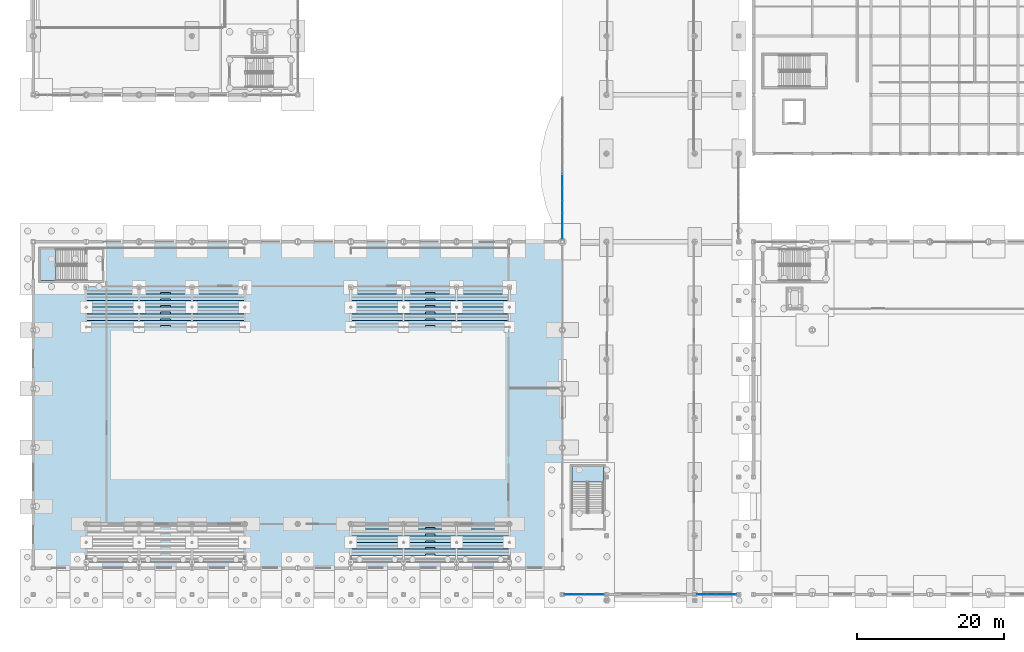
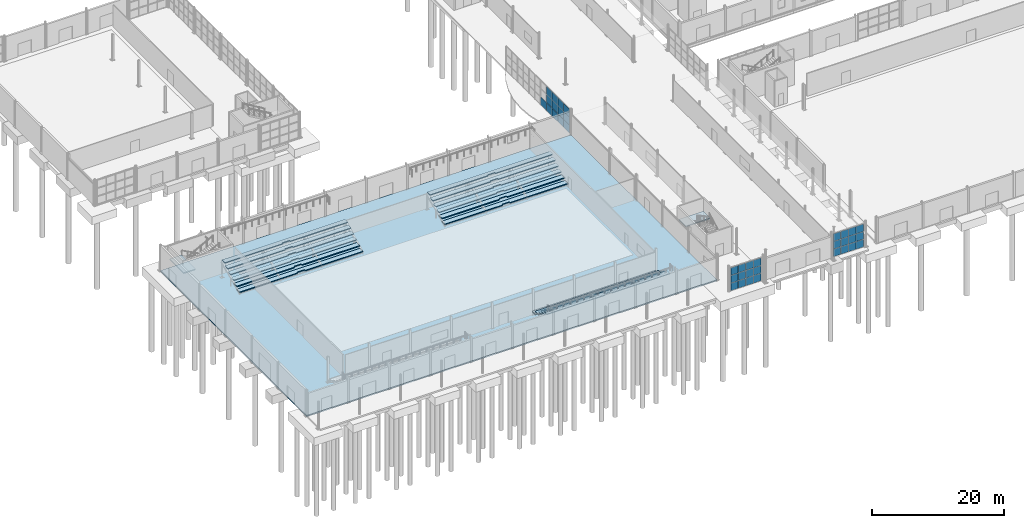
# One storey, part 63 of 101: 37 plates, 20 slabs, 5 elements without a shape of their own.
"""IFC4 building model written with IfcOpenShell, lengths in metres."""

from ifc_helpers import new_model, si_unit, derived_unit, direction, frame, origin, origin_2d, place, context, subcontext, project, spatial, polyline, rectangle, outline, extrude, material, layer, layer_set, type_object, element, aggregate, save


model = new_model("IFC4")

# Units and contexts
model_context = context("Model", 3, precision=1e-05, world=origin(), true_north=direction((0.0, 1.0)))
body_context = subcontext(model_context, "Body", "Model", "MODEL_VIEW")
ifc_project = project(units=[si_unit("LENGTHUNIT", "METRE"), si_unit("AREAUNIT", "SQUARE_METRE"), si_unit("VOLUMEUNIT", "CUBIC_METRE"), si_unit("PLANEANGLEUNIT", "RADIAN"), si_unit("MASSUNIT", "GRAM", prefix="KILO"), derived_unit("THERMALTRANSMITTANCEUNIT", [(si_unit("POWERUNIT", "WATT"), 1), (si_unit("LENGTHUNIT", "METRE"), -2), (si_unit("THERMODYNAMICTEMPERATUREUNIT", "KELVIN"), -1)])], contexts=[model_context])

# Site, building, storey
site_placement = place(None, origin())
site = spatial("IfcSite", under=ifc_project, at=site_placement, CompositionType="ELEMENT")
building_placement = place(site_placement, origin())
building = spatial("IfcBuilding", under=site, at=building_placement, Name="Keldorne Ridge Multi-Sports Centre", CompositionType="ELEMENT")
storey_placement = place(building_placement, origin())
storey = spatial("IfcBuildingStorey", under=building, at=storey_placement, Name="L00", CompositionType="ELEMENT", Elevation=0.0)

# Curtain wall, plates
ifc_material_1 = material(Name="Anodized aluminium", Category="aluminium")
curtain_wall_type_1 = type_object("IfcCurtainWallType", Name="CW-CW-03", PredefinedType="NOTDEFINED", material=ifc_material_1)
curtain_wall_1_placement = place(storey_placement, origin())
curtain_wall_1 = element("IfcCurtainWall", 1, at=curtain_wall_1_placement, inside=storey, type_object=curtain_wall_type_1, Name="Passage west courtyard curtain wall L00 083", PredefinedType="NOTDEFINED")
ifc_material_2 = material(Name="Double low-e insulated glazing", Category="glass")
ifc_layer_1 = layer(ifc_material_2, 0.035888671875)
ifc_layer_set_1 = layer_set([ifc_layer_1])
plate_type_1 = type_object("IfcPlateType", Name="PLT-GL-01", PredefinedType="CURTAIN_PANEL", material=ifc_layer_set_1)
plate_1_placement = place(storey_placement, frame((78.0, 62.25439453125, 0.02001953125), z_axis=(0.0, 0.0, 1.0), x_axis=(0.0, -1.0, 0.0)))
plate_1 = element("IfcPlate", 2, at=plate_1_placement, type_object=plate_type_1, Name="CW-083 glazed panel 7.1", PredefinedType="CURTAIN_PANEL", context=body_context, shape_type="SweptSolid", body=[
    extrude(rectangle(XDim=1.70556640625, YDim=0.035888671875, at=origin_2d()), origin(), (0.0, 0.0, 1.0), 1.476806640625),
])
plate_2_placement = place(storey_placement, frame((78.0, 60.509033203125, 0.02001953125), z_axis=(0.0, 0.0, 1.0), x_axis=(0.0, -1.0, 0.0)))
plate_2 = element("IfcPlate", 3, at=plate_2_placement, type_object=plate_type_1, Name="CW-083 glazed panel 8.1", PredefinedType="CURTAIN_PANEL", context=body_context, shape_type="SweptSolid", body=[
    extrude(rectangle(XDim=1.70556640625, YDim=0.035888671875, at=origin_2d()), origin(), (0.0, 0.0, 1.0), 1.476806640625),
])
plate_3_placement = place(storey_placement, frame((78.0, 60.509033203125, 1.53662109375), z_axis=(0.0, 0.0, 1.0), x_axis=(0.0, -1.0, 0.0)))
plate_3 = element("IfcPlate", 4, at=plate_3_placement, type_object=plate_type_1, Name="CW-083 glazed panel 8.2", PredefinedType="CURTAIN_PANEL", context=body_context, shape_type="SweptSolid", body=[
    extrude(rectangle(XDim=1.70556640625, YDim=0.035888671875, at=origin_2d()), origin(), (0.0, 0.0, 1.0), 1.476806640625),
])
plate_4_placement = place(storey_placement, frame((78.0, 60.509033203125, 3.05322265625), z_axis=(0.0, 0.0, 1.0), x_axis=(0.0, -1.0, 0.0)))
plate_4 = element("IfcPlate", 5, at=plate_4_placement, type_object=plate_type_1, Name="CW-083 glazed panel 8.3", PredefinedType="CURTAIN_PANEL", context=body_context, shape_type="SweptSolid", body=[
    extrude(rectangle(XDim=1.70556640625, YDim=0.035888671875, at=origin_2d()), origin(), (0.0, 0.0, 1.0), 1.476806640625),
])
plate_5_placement = place(storey_placement, frame((78.0, 58.763671875, 0.02001953125), z_axis=(0.0, 0.0, 1.0), x_axis=(0.0, -1.0, 0.0)))
plate_5 = element("IfcPlate", 6, at=plate_5_placement, type_object=plate_type_1, Name="CW-083 glazed panel 9.1", PredefinedType="CURTAIN_PANEL", context=body_context, shape_type="SweptSolid", body=[
    extrude(rectangle(XDim=1.70556640625, YDim=0.035888671875, at=origin_2d()), origin(), (0.0, 0.0, 1.0), 1.476806640625),
])
plate_6_placement = place(storey_placement, frame((78.0, 58.763671875, 1.53662109375), z_axis=(0.0, 0.0, 1.0), x_axis=(0.0, -1.0, 0.0)))
plate_6 = element("IfcPlate", 7, at=plate_6_placement, type_object=plate_type_1, Name="CW-083 glazed panel 9.2", PredefinedType="CURTAIN_PANEL", context=body_context, shape_type="SweptSolid", body=[
    extrude(rectangle(XDim=1.70556640625, YDim=0.035888671875, at=origin_2d()), origin(), (0.0, 0.0, 1.0), 1.476806640625),
])
plate_7_placement = place(storey_placement, frame((78.0, 58.763671875, 3.05322265625), z_axis=(0.0, 0.0, 1.0), x_axis=(0.0, -1.0, 0.0)))
plate_7 = element("IfcPlate", 8, at=plate_7_placement, type_object=plate_type_1, Name="CW-083 glazed panel 9.3", PredefinedType="CURTAIN_PANEL", context=body_context, shape_type="SweptSolid", body=[
    extrude(rectangle(XDim=1.70556640625, YDim=0.035888671875, at=origin_2d()), origin(), (0.0, 0.0, 1.0), 1.476806640625),
])
plate_8_placement = place(storey_placement, frame((78.0, 57.018310546875, 0.02001953125), z_axis=(0.0, 0.0, 1.0), x_axis=(0.0, -1.0, 0.0)))
plate_8 = element("IfcPlate", 9, at=plate_8_placement, type_object=plate_type_1, Name="CW-083 glazed panel 10.1", PredefinedType="CURTAIN_PANEL", context=body_context, shape_type="SweptSolid", body=[
    extrude(rectangle(XDim=1.70556640625, YDim=0.035888671875, at=origin_2d()), origin(), (0.0, 0.0, 1.0), 1.476806640625),
])
plate_9_placement = place(storey_placement, frame((78.0, 57.018310546875, 1.53662109375), z_axis=(0.0, 0.0, 1.0), x_axis=(0.0, -1.0, 0.0)))
plate_9 = element("IfcPlate", 10, at=plate_9_placement, type_object=plate_type_1, Name="CW-083 glazed panel 10.2", PredefinedType="CURTAIN_PANEL", context=body_context, shape_type="SweptSolid", body=[
    extrude(rectangle(XDim=1.70556640625, YDim=0.035888671875, at=origin_2d()), origin(), (0.0, 0.0, 1.0), 1.476806640625),
])
plate_10_placement = place(storey_placement, frame((78.0, 57.018310546875, 3.05322265625), z_axis=(0.0, 0.0, 1.0), x_axis=(0.0, -1.0, 0.0)))
plate_10 = element("IfcPlate", 11, at=plate_10_placement, type_object=plate_type_1, Name="CW-083 glazed panel 10.3", PredefinedType="CURTAIN_PANEL", context=body_context, shape_type="SweptSolid", body=[
    extrude(rectangle(XDim=1.70556640625, YDim=0.035888671875, at=origin_2d()), origin(), (0.0, 0.0, 1.0), 1.476806640625),
])
plate_11_placement = place(storey_placement, frame((78.0, 55.272705078125, 0.02001953125), z_axis=(0.0, 0.0, 1.0), x_axis=(0.0, -1.0, 0.0)))
plate_11 = element("IfcPlate", 12, at=plate_11_placement, type_object=plate_type_1, Name="CW-083 glazed panel 11.1", PredefinedType="CURTAIN_PANEL", context=body_context, shape_type="SweptSolid", body=[
    extrude(rectangle(XDim=1.70556640625, YDim=0.035888671875, at=origin_2d()), origin(), (0.0, 0.0, 1.0), 1.476806640625),
])
plate_12_placement = place(storey_placement, frame((78.0, 55.272705078125, 1.53662109375), z_axis=(0.0, 0.0, 1.0), x_axis=(0.0, -1.0, 0.0)))
plate_12 = element("IfcPlate", 13, at=plate_12_placement, type_object=plate_type_1, Name="CW-083 glazed panel 11.2", PredefinedType="CURTAIN_PANEL", context=body_context, shape_type="SweptSolid", body=[
    extrude(rectangle(XDim=1.70556640625, YDim=0.035888671875, at=origin_2d()), origin(), (0.0, 0.0, 1.0), 1.476806640625),
])
plate_13_placement = place(storey_placement, frame((78.0, 55.272705078125, 3.05322265625), z_axis=(0.0, 0.0, 1.0), x_axis=(0.0, -1.0, 0.0)))
plate_13 = element("IfcPlate", 14, at=plate_13_placement, type_object=plate_type_1, Name="CW-083 glazed panel 11.3", PredefinedType="CURTAIN_PANEL", context=body_context, shape_type="SweptSolid", body=[
    extrude(rectangle(XDim=1.70556640625, YDim=0.035888671875, at=origin_2d()), origin(), (0.0, 0.0, 1.0), 1.476806640625),
])
aggregate(curtain_wall_1, [plate_1, plate_2, plate_3, plate_4, plate_5, plate_6, plate_7, plate_8, plate_9, plate_10, plate_11, plate_12, plate_13])

curtain_wall_type_2 = type_object("IfcCurtainWallType", Name="CW-CW-01", PredefinedType="NOTDEFINED", material=ifc_material_1)
curtain_wall_2_placement = place(storey_placement, origin())
curtain_wall_2 = element("IfcCurtainWall", 15, at=curtain_wall_2_placement, inside=storey, type_object=curtain_wall_type_2, Name="Public Passage S foyer glazing 073", PredefinedType="NOTDEFINED")
ifc_material_3 = material(Name="Triple acoustic low-e glazing", Category="glass")
ifc_layer_2 = layer(ifc_material_3, 0.0439453125)
ifc_layer_set_2 = layer_set([ifc_layer_2])
plate_type_2 = type_object("IfcPlateType", Name="PLT-GL-02", PredefinedType="CURTAIN_PANEL", material=ifc_layer_set_2)
plate_14_placement = place(storey_placement, frame((79.0048828125, 6.0, 0.02001953125), z_axis=(0.0, 0.0, 1.0), x_axis=(1.0, 0.0, 0.0)))
plate_14 = element("IfcPlate", 16, at=plate_14_placement, type_object=plate_type_2, Name="CW-073 glazed panel 1.1", PredefinedType="CURTAIN_PANEL", context=body_context, shape_type="SweptSolid", body=[
    extrude(rectangle(XDim=1.2900390625, YDim=0.0439453125, at=origin_2d()), origin(), (0.0, 0.0, 1.0), 1.393310546875),
])
plate_15_placement = place(storey_placement, frame((79.0048828125, 6.0, 1.453125), z_axis=(0.0, 0.0, 1.0), x_axis=(1.0, 0.0, 0.0)))
plate_15 = element("IfcPlate", 17, at=plate_15_placement, type_object=plate_type_2, Name="CW-073 glazed panel 1.2", PredefinedType="CURTAIN_PANEL", context=body_context, shape_type="SweptSolid", body=[
    extrude(rectangle(XDim=1.2900390625, YDim=0.0439453125, at=origin_2d()), origin(), (0.0, 0.0, 1.0), 1.393310546875),
])
plate_16_placement = place(storey_placement, frame((79.0048828125, 6.0, 2.88671875), z_axis=(0.0, 0.0, 1.0), x_axis=(1.0, 0.0, 0.0)))
plate_16 = element("IfcPlate", 18, at=plate_16_placement, type_object=plate_type_2, Name="CW-073 glazed panel 1.3", PredefinedType="CURTAIN_PANEL", context=body_context, shape_type="SweptSolid", body=[
    extrude(rectangle(XDim=1.2900390625, YDim=0.0439453125, at=origin_2d()), origin(), (0.0, 0.0, 1.0), 1.393310546875),
])
plate_17_placement = place(storey_placement, frame((80.3349609375, 6.0, 0.02001953125), z_axis=(0.0, 0.0, 1.0), x_axis=(1.0, 0.0, 0.0)))
plate_17 = element("IfcPlate", 19, at=plate_17_placement, type_object=plate_type_2, Name="CW-073 glazed panel 2.1", PredefinedType="CURTAIN_PANEL", context=body_context, shape_type="SweptSolid", body=[
    extrude(rectangle(XDim=1.2900390625, YDim=0.0439453125, at=origin_2d()), origin(), (0.0, 0.0, 1.0), 1.393310546875),
])
plate_18_placement = place(storey_placement, frame((80.3349609375, 6.0, 1.453125), z_axis=(0.0, 0.0, 1.0), x_axis=(1.0, 0.0, 0.0)))
plate_18 = element("IfcPlate", 20, at=plate_18_placement, type_object=plate_type_2, Name="CW-073 glazed panel 2.2", PredefinedType="CURTAIN_PANEL", context=body_context, shape_type="SweptSolid", body=[
    extrude(rectangle(XDim=1.2900390625, YDim=0.0439453125, at=origin_2d()), origin(), (0.0, 0.0, 1.0), 1.393310546875),
])
plate_19_placement = place(storey_placement, frame((80.3349609375, 6.0, 2.88671875), z_axis=(0.0, 0.0, 1.0), x_axis=(1.0, 0.0, 0.0)))
plate_19 = element("IfcPlate", 21, at=plate_19_placement, type_object=plate_type_2, Name="CW-073 glazed panel 2.3", PredefinedType="CURTAIN_PANEL", context=body_context, shape_type="SweptSolid", body=[
    extrude(rectangle(XDim=1.2900390625, YDim=0.0439453125, at=origin_2d()), origin(), (0.0, 0.0, 1.0), 1.393310546875),
])
plate_20_placement = place(storey_placement, frame((81.6650390625, 6.0, 0.02001953125), z_axis=(0.0, 0.0, 1.0), x_axis=(1.0, 0.0, 0.0)))
plate_20 = element("IfcPlate", 22, at=plate_20_placement, type_object=plate_type_2, Name="CW-073 glazed panel 3.1", PredefinedType="CURTAIN_PANEL", context=body_context, shape_type="SweptSolid", body=[
    extrude(rectangle(XDim=1.2900390625, YDim=0.0439453125, at=origin_2d()), origin(), (0.0, 0.0, 1.0), 1.393310546875),
])
plate_21_placement = place(storey_placement, frame((81.6650390625, 6.0, 1.453125), z_axis=(0.0, 0.0, 1.0), x_axis=(1.0, 0.0, 0.0)))
plate_21 = element("IfcPlate", 23, at=plate_21_placement, type_object=plate_type_2, Name="CW-073 glazed panel 3.2", PredefinedType="CURTAIN_PANEL", context=body_context, shape_type="SweptSolid", body=[
    extrude(rectangle(XDim=1.2900390625, YDim=0.0439453125, at=origin_2d()), origin(), (0.0, 0.0, 1.0), 1.393310546875),
])
plate_22_placement = place(storey_placement, frame((81.6650390625, 6.0, 2.88671875), z_axis=(0.0, 0.0, 1.0), x_axis=(1.0, 0.0, 0.0)))
plate_22 = element("IfcPlate", 24, at=plate_22_placement, type_object=plate_type_2, Name="CW-073 glazed panel 3.3", PredefinedType="CURTAIN_PANEL", context=body_context, shape_type="SweptSolid", body=[
    extrude(rectangle(XDim=1.2900390625, YDim=0.0439453125, at=origin_2d()), origin(), (0.0, 0.0, 1.0), 1.393310546875),
])
plate_23_placement = place(storey_placement, frame((82.9951171875, 6.0, 0.02001953125), z_axis=(0.0, 0.0, 1.0), x_axis=(1.0, 0.0, 0.0)))
plate_23 = element("IfcPlate", 25, at=plate_23_placement, type_object=plate_type_2, Name="CW-073 glazed panel 4.1", PredefinedType="CURTAIN_PANEL", context=body_context, shape_type="SweptSolid", body=[
    extrude(rectangle(XDim=1.2900390625, YDim=0.0439453125, at=origin_2d()), origin(), (0.0, 0.0, 1.0), 1.393310546875),
])
plate_24_placement = place(storey_placement, frame((82.9951171875, 6.0, 1.453125), z_axis=(0.0, 0.0, 1.0), x_axis=(1.0, 0.0, 0.0)))
plate_24 = element("IfcPlate", 26, at=plate_24_placement, type_object=plate_type_2, Name="CW-073 glazed panel 4.2", PredefinedType="CURTAIN_PANEL", context=body_context, shape_type="SweptSolid", body=[
    extrude(rectangle(XDim=1.2900390625, YDim=0.0439453125, at=origin_2d()), origin(), (0.0, 0.0, 1.0), 1.393310546875),
])
plate_25_placement = place(storey_placement, frame((82.9951171875, 6.0, 2.88671875), z_axis=(0.0, 0.0, 1.0), x_axis=(1.0, 0.0, 0.0)))
plate_25 = element("IfcPlate", 27, at=plate_25_placement, type_object=plate_type_2, Name="CW-073 glazed panel 4.3", PredefinedType="CURTAIN_PANEL", context=body_context, shape_type="SweptSolid", body=[
    extrude(rectangle(XDim=1.2900390625, YDim=0.0439453125, at=origin_2d()), origin(), (0.0, 0.0, 1.0), 1.393310546875),
])
aggregate(curtain_wall_2, [plate_14, plate_15, plate_16, plate_17, plate_18, plate_19, plate_20, plate_21, plate_22, plate_23, plate_24, plate_25])

curtain_wall_type_3 = type_object("IfcCurtainWallType", Name="CW-CW-04", PredefinedType="NOTDEFINED", material=ifc_material_1)
curtain_wall_3_placement = place(storey_placement, origin())
curtain_wall_3 = element("IfcCurtainWall", 28, at=curtain_wall_3_placement, inside=storey, type_object=curtain_wall_type_3, Name="Public Passage S foyer glazing 076", PredefinedType="NOTDEFINED")
plate_26_placement = place(storey_placement, frame((97.0048828125, 6.0, 0.02001953125), z_axis=(0.0, 0.0, 1.0), x_axis=(1.0, 0.0, 0.0)))
plate_26 = element("IfcPlate", 29, at=plate_26_placement, type_object=plate_type_2, Name="CW-076 glazed panel 1.1", PredefinedType="CURTAIN_PANEL", context=body_context, shape_type="SweptSolid", body=[
    extrude(rectangle(XDim=1.2900390625, YDim=0.0439453125, at=origin_2d()), origin(), (0.0, 0.0, 1.0), 1.393310546875),
])
plate_27_placement = place(storey_placement, frame((97.0048828125, 6.0, 1.453125), z_axis=(0.0, 0.0, 1.0), x_axis=(1.0, 0.0, 0.0)))
plate_27 = element("IfcPlate", 30, at=plate_27_placement, type_object=plate_type_2, Name="CW-076 glazed panel 1.2", PredefinedType="CURTAIN_PANEL", context=body_context, shape_type="SweptSolid", body=[
    extrude(rectangle(XDim=1.2900390625, YDim=0.0439453125, at=origin_2d()), origin(), (0.0, 0.0, 1.0), 1.393310546875),
])
plate_28_placement = place(storey_placement, frame((97.0048828125, 6.0, 2.88671875), z_axis=(0.0, 0.0, 1.0), x_axis=(1.0, 0.0, 0.0)))
plate_28 = element("IfcPlate", 31, at=plate_28_placement, type_object=plate_type_2, Name="CW-076 glazed panel 1.3", PredefinedType="CURTAIN_PANEL", context=body_context, shape_type="SweptSolid", body=[
    extrude(rectangle(XDim=1.2900390625, YDim=0.0439453125, at=origin_2d()), origin(), (0.0, 0.0, 1.0), 1.393310546875),
])
plate_29_placement = place(storey_placement, frame((98.3349609375, 6.0, 0.02001953125), z_axis=(0.0, 0.0, 1.0), x_axis=(1.0, 0.0, 0.0)))
plate_29 = element("IfcPlate", 32, at=plate_29_placement, type_object=plate_type_2, Name="CW-076 glazed panel 2.1", PredefinedType="CURTAIN_PANEL", context=body_context, shape_type="SweptSolid", body=[
    extrude(rectangle(XDim=1.2900390625, YDim=0.0439453125, at=origin_2d()), origin(), (0.0, 0.0, 1.0), 1.393310546875),
])
plate_30_placement = place(storey_placement, frame((98.3349609375, 6.0, 1.453125), z_axis=(0.0, 0.0, 1.0), x_axis=(1.0, 0.0, 0.0)))
plate_30 = element("IfcPlate", 33, at=plate_30_placement, type_object=plate_type_2, Name="CW-076 glazed panel 2.2", PredefinedType="CURTAIN_PANEL", context=body_context, shape_type="SweptSolid", body=[
    extrude(rectangle(XDim=1.2900390625, YDim=0.0439453125, at=origin_2d()), origin(), (0.0, 0.0, 1.0), 1.393310546875),
])
plate_31_placement = place(storey_placement, frame((98.3349609375, 6.0, 2.88671875), z_axis=(0.0, 0.0, 1.0), x_axis=(1.0, 0.0, 0.0)))
plate_31 = element("IfcPlate", 34, at=plate_31_placement, type_object=plate_type_2, Name="CW-076 glazed panel 2.3", PredefinedType="CURTAIN_PANEL", context=body_context, shape_type="SweptSolid", body=[
    extrude(rectangle(XDim=1.2900390625, YDim=0.0439453125, at=origin_2d()), origin(), (0.0, 0.0, 1.0), 1.393310546875),
])
plate_32_placement = place(storey_placement, frame((99.6650390625, 6.0, 0.02001953125), z_axis=(0.0, 0.0, 1.0), x_axis=(1.0, 0.0, 0.0)))
plate_32 = element("IfcPlate", 35, at=plate_32_placement, type_object=plate_type_2, Name="CW-076 glazed panel 3.1", PredefinedType="CURTAIN_PANEL", context=body_context, shape_type="SweptSolid", body=[
    extrude(rectangle(XDim=1.2900390625, YDim=0.0439453125, at=origin_2d()), origin(), (0.0, 0.0, 1.0), 1.393310546875),
])
plate_33_placement = place(storey_placement, frame((99.6650390625, 6.0, 1.453125), z_axis=(0.0, 0.0, 1.0), x_axis=(1.0, 0.0, 0.0)))
plate_33 = element("IfcPlate", 36, at=plate_33_placement, type_object=plate_type_2, Name="CW-076 glazed panel 3.2", PredefinedType="CURTAIN_PANEL", context=body_context, shape_type="SweptSolid", body=[
    extrude(rectangle(XDim=1.2900390625, YDim=0.0439453125, at=origin_2d()), origin(), (0.0, 0.0, 1.0), 1.393310546875),
])
plate_34_placement = place(storey_placement, frame((99.6650390625, 6.0, 2.88671875), z_axis=(0.0, 0.0, 1.0), x_axis=(1.0, 0.0, 0.0)))
plate_34 = element("IfcPlate", 37, at=plate_34_placement, type_object=plate_type_2, Name="CW-076 glazed panel 3.3", PredefinedType="CURTAIN_PANEL", context=body_context, shape_type="SweptSolid", body=[
    extrude(rectangle(XDim=1.2900390625, YDim=0.0439453125, at=origin_2d()), origin(), (0.0, 0.0, 1.0), 1.393310546875),
])
plate_35_placement = place(storey_placement, frame((100.9951171875, 6.0, 0.02001953125), z_axis=(0.0, 0.0, 1.0), x_axis=(1.0, 0.0, 0.0)))
plate_35 = element("IfcPlate", 38, at=plate_35_placement, type_object=plate_type_2, Name="CW-076 glazed panel 4.1", PredefinedType="CURTAIN_PANEL", context=body_context, shape_type="SweptSolid", body=[
    extrude(rectangle(XDim=1.2900390625, YDim=0.0439453125, at=origin_2d()), origin(), (0.0, 0.0, 1.0), 1.393310546875),
])
plate_36_placement = place(storey_placement, frame((100.9951171875, 6.0, 1.453125), z_axis=(0.0, 0.0, 1.0), x_axis=(1.0, 0.0, 0.0)))
plate_36 = element("IfcPlate", 39, at=plate_36_placement, type_object=plate_type_2, Name="CW-076 glazed panel 4.2", PredefinedType="CURTAIN_PANEL", context=body_context, shape_type="SweptSolid", body=[
    extrude(rectangle(XDim=1.2900390625, YDim=0.0439453125, at=origin_2d()), origin(), (0.0, 0.0, 1.0), 1.393310546875),
])
plate_37_placement = place(storey_placement, frame((100.9951171875, 6.0, 2.88671875), z_axis=(0.0, 0.0, 1.0), x_axis=(1.0, 0.0, 0.0)))
plate_37 = element("IfcPlate", 40, at=plate_37_placement, type_object=plate_type_2, Name="CW-076 glazed panel 4.3", PredefinedType="CURTAIN_PANEL", context=body_context, shape_type="SweptSolid", body=[
    extrude(rectangle(XDim=1.2900390625, YDim=0.0439453125, at=origin_2d()), origin(), (0.0, 0.0, 1.0), 1.393310546875),
])
aggregate(curtain_wall_3, [plate_26, plate_27, plate_28, plate_29, plate_30, plate_31, plate_32, plate_33, plate_34, plate_35, plate_36, plate_37])

# Stair, slab
ifc_material_4 = material(Name="Concrete C35/45", Category="concrete")
stair_type = type_object("IfcStairType", Name="STR-S01", PredefinedType="HALF_TURN_STAIR", material=ifc_material_4)
stair_1_placement = place(storey_placement, origin())
stair_1 = element("IfcStair", 41, at=stair_1_placement, inside=storey, type_object=stair_type, Name="L00 South Foyer Concourse Stair ST-07", PredefinedType="HALF_TURN_STAIR")
ifc_layer_3 = layer(ifc_material_4, 0.199951171875)
ifc_layer_set_3 = layer_set([ifc_layer_3], Name="Concrete C35/45")
slab_type_1 = type_object("IfcSlabType", Name="SLB-LDG-01", PredefinedType="LANDING", material=ifc_layer_set_3)
slab_1_placement = place(storey_placement, frame((0.0, 0.0, 2.199951171875)))
slab_1 = element("IfcSlab", 42, at=slab_1_placement, type_object=slab_type_1, Name="ST-07 landing 1", PredefinedType="LANDING", context=body_context, shape_type="SweptSolid", body=[
    extrude(outline(polyline([(83.60009765625, 21.300048828125), (83.60009765625, 23.39990234375), (79.300048828125, 23.39990234375), (79.300048828125, 21.300048828125), (83.60009765625, 21.300048828125)])), origin(), (0.0, 0.0, 1.0), 0.199951171875),
])
aggregate(stair_1, [slab_1])

stair_2_placement = place(storey_placement, origin())
stair_2 = element("IfcStair", 43, at=stair_2_placement, inside=storey, type_object=stair_type, Name="L00 West Competition Concourse Escape Stair ST-09", PredefinedType="HALF_TURN_STAIR")
slab_2_placement = place(storey_placement, frame((0.0, 0.0, 2.199951171875)))
slab_2 = element("IfcSlab", 44, at=slab_2_placement, type_object=slab_type_1, Name="ST-09 landing 1", PredefinedType="LANDING", context=body_context, shape_type="SweptSolid", body=[
    extrude(outline(polyline([(9.10009765625, 53.0), (7.0, 53.0), (7.0, 48.719970703125), (9.10009765625, 48.719970703125), (9.10009765625, 53.0)])), origin(), (0.0, 0.0, 1.0), 0.199951171875),
])
aggregate(stair_2, [slab_2])

# Slabs
ifc_layer_4 = layer(ifc_material_4, 0.25)
ifc_layer_set_4 = layer_set([ifc_layer_4], Name="Concrete C35/45")
slab_type_2 = type_object("IfcSlabType", Name="SLB-SL-G01", PredefinedType="BASESLAB", material=ifc_layer_set_4)
slab_3_placement = place(storey_placement, frame((0.0, 0.0, -0.25)))
element("IfcSlab", 45, at=slab_3_placement, inside=storey, type_object=slab_type_2, Name="Ground Main Competition Hall slab", PredefinedType="BASESLAB", context=body_context, shape_type="SweptSolid", body=[
    extrude(outline(polyline([(6.0, 9.60009765625), (78.0, 9.60009765625), (78.0, 54.0), (6.0, 54.0), (6.0, 9.60009765625)])), origin(), (0.0, 0.0, 1.0), 0.25),
])
ifc_material_5 = material(Name="Steel S355", Category="steel")
ifc_layer_5 = layer(ifc_material_5, 0.169921875)
ifc_layer_set_5 = layer_set([ifc_layer_5], Name="Steel S355")
slab_type_3 = type_object("IfcSlabType", Name="SLB-SL-ST1", PredefinedType="USERDEFINED", material=ifc_layer_set_5)
slab_4_placement = place(storey_placement, frame((0.0, 0.0, 0.35009765625)))
element("IfcSlab", 46, at=slab_4_placement, inside=storey, type_object=slab_type_3, Name="South Telescopic Spectator Stand Tier E-1", ObjectType="SEATING TIER", PredefinedType="USERDEFINED", context=body_context, shape_type="SweptSolid", body=[
    extrude(outline(polyline([(49.199951171875, 14.89990234375), (59.35009765625, 14.89990234375), (59.35009765625, 15.1201171875), (60.64990234375, 15.1201171875), (60.64990234375, 14.89990234375), (70.800048828125, 14.89990234375), (70.800048828125, 15.800048828125), (49.199951171875, 15.800048828125), (49.199951171875, 14.89990234375)])), origin(), (0.0, 0.0, 1.0), 0.169921875),
])
slab_5_placement = place(storey_placement, frame((0.0, 0.0, 0.889892578125)))
element("IfcSlab", 47, at=slab_5_placement, inside=storey, type_object=slab_type_3, Name="South Telescopic Spectator Stand Tier E-2", ObjectType="SEATING TIER", PredefinedType="USERDEFINED", context=body_context, shape_type="SweptSolid", body=[
    extrude(outline(polyline([(49.199951171875, 14.0), (59.35009765625, 14.0), (59.35009765625, 14.219970703125), (60.64990234375, 14.219970703125), (60.64990234375, 14.0), (70.800048828125, 14.0), (70.800048828125, 14.89990234375), (49.199951171875, 14.89990234375), (49.199951171875, 14.0)])), origin(), (0.0, 0.0, 1.0), 0.170166015625),
])
slab_6_placement = place(storey_placement, frame((0.0, 0.0, 1.429931640625)))
element("IfcSlab", 48, at=slab_6_placement, inside=storey, type_object=slab_type_3, Name="South Telescopic Spectator Stand Tier E-3", ObjectType="SEATING TIER", PredefinedType="USERDEFINED", context=body_context, shape_type="SweptSolid", body=[
    extrude(outline(polyline([(49.199951171875, 13.10009765625), (59.35009765625, 13.10009765625), (59.35009765625, 13.320068359375), (60.64990234375, 13.320068359375), (60.64990234375, 13.10009765625), (70.800048828125, 13.10009765625), (70.800048828125, 14.0), (49.199951171875, 14.0), (49.199951171875, 13.10009765625)])), origin(), (0.0, 0.0, 1.0), 0.170166015625),
])
slab_7_placement = place(storey_placement, frame((0.0, 0.0, 1.969970703125)))
element("IfcSlab", 49, at=slab_7_placement, inside=storey, type_object=slab_type_3, Name="South Telescopic Spectator Stand Tier E-4", ObjectType="SEATING TIER", PredefinedType="USERDEFINED", context=body_context, shape_type="SweptSolid", body=[
    extrude(outline(polyline([(49.199951171875, 12.199951171875), (59.35009765625, 12.199951171875), (59.35009765625, 12.419921875), (60.64990234375, 12.419921875), (60.64990234375, 12.199951171875), (70.800048828125, 12.199951171875), (70.800048828125, 13.10009765625), (49.199951171875, 13.10009765625), (49.199951171875, 12.199951171875)])), origin(), (0.0, 0.0, 1.0), 0.169921875),
])
slab_8_placement = place(storey_placement, frame((0.0, 0.0, 2.510009765625)))
element("IfcSlab", 50, at=slab_8_placement, inside=storey, type_object=slab_type_3, Name="South Telescopic Spectator Stand Tier E-5", ObjectType="SEATING TIER", PredefinedType="USERDEFINED", context=body_context, shape_type="SweptSolid", body=[
    extrude(outline(polyline([(49.199951171875, 11.300048828125), (59.35009765625, 11.300048828125), (59.35009765625, 11.52001953125), (60.64990234375, 11.52001953125), (60.64990234375, 11.300048828125), (70.800048828125, 11.300048828125), (70.800048828125, 12.199951171875), (49.199951171875, 12.199951171875), (49.199951171875, 11.300048828125)])), origin(), (0.0, 0.0, 1.0), 0.169921875),
])
slab_9_placement = place(storey_placement, frame((0.0, 0.0, 0.35009765625)))
element("IfcSlab", 51, at=slab_9_placement, inside=storey, type_object=slab_type_3, Name="North Telescopic Spectator Stand Tier W-1", ObjectType="SEATING TIER", PredefinedType="USERDEFINED", context=body_context, shape_type="SweptSolid", body=[
    extrude(outline(polyline([(13.199951171875, 42.39990234375), (23.35009765625, 42.39990234375), (23.35009765625, 42.6201171875), (24.64990234375, 42.6201171875), (24.64990234375, 42.39990234375), (34.800048828125, 42.39990234375), (34.800048828125, 43.300048828125), (13.199951171875, 43.300048828125), (13.199951171875, 42.39990234375)])), origin(), (0.0, 0.0, 1.0), 0.169921875),
])
slab_10_placement = place(storey_placement, frame((0.0, 0.0, 0.35009765625)))
element("IfcSlab", 52, at=slab_10_placement, inside=storey, type_object=slab_type_3, Name="North Telescopic Spectator Stand Tier E-1", ObjectType="SEATING TIER", PredefinedType="USERDEFINED", context=body_context, shape_type="SweptSolid", body=[
    extrude(outline(polyline([(49.199951171875, 42.39990234375), (59.35009765625, 42.39990234375), (59.35009765625, 42.6201171875), (60.64990234375, 42.6201171875), (60.64990234375, 42.39990234375), (70.800048828125, 42.39990234375), (70.800048828125, 43.300048828125), (49.199951171875, 43.300048828125), (49.199951171875, 42.39990234375)])), origin(), (0.0, 0.0, 1.0), 0.169921875),
])
slab_11_placement = place(storey_placement, frame((0.0, 0.0, 0.889892578125)))
element("IfcSlab", 53, at=slab_11_placement, inside=storey, type_object=slab_type_3, Name="North Telescopic Spectator Stand Tier W-2", ObjectType="SEATING TIER", PredefinedType="USERDEFINED", context=body_context, shape_type="SweptSolid", body=[
    extrude(outline(polyline([(13.199951171875, 43.300048828125), (23.35009765625, 43.300048828125), (23.35009765625, 43.52001953125), (24.64990234375, 43.52001953125), (24.64990234375, 43.300048828125), (34.800048828125, 43.300048828125), (34.800048828125, 44.199951171875), (13.199951171875, 44.199951171875), (13.199951171875, 43.300048828125)])), origin(), (0.0, 0.0, 1.0), 0.170166015625),
])
slab_12_placement = place(storey_placement, frame((0.0, 0.0, 0.889892578125)))
element("IfcSlab", 54, at=slab_12_placement, inside=storey, type_object=slab_type_3, Name="North Telescopic Spectator Stand Tier E-2", ObjectType="SEATING TIER", PredefinedType="USERDEFINED", context=body_context, shape_type="SweptSolid", body=[
    extrude(outline(polyline([(49.199951171875, 43.300048828125), (59.35009765625, 43.300048828125), (59.35009765625, 43.52001953125), (60.64990234375, 43.52001953125), (60.64990234375, 43.300048828125), (70.800048828125, 43.300048828125), (70.800048828125, 44.199951171875), (49.199951171875, 44.199951171875), (49.199951171875, 43.300048828125)])), origin(), (0.0, 0.0, 1.0), 0.170166015625),
])
slab_13_placement = place(storey_placement, frame((0.0, 0.0, 1.429931640625)))
element("IfcSlab", 55, at=slab_13_placement, inside=storey, type_object=slab_type_3, Name="North Telescopic Spectator Stand Tier W-3", ObjectType="SEATING TIER", PredefinedType="USERDEFINED", context=body_context, shape_type="SweptSolid", body=[
    extrude(outline(polyline([(13.199951171875, 44.199951171875), (23.35009765625, 44.199951171875), (23.35009765625, 44.419921875), (24.64990234375, 44.419921875), (24.64990234375, 44.199951171875), (34.800048828125, 44.199951171875), (34.800048828125, 45.10009765625), (13.199951171875, 45.10009765625), (13.199951171875, 44.199951171875)])), origin(), (0.0, 0.0, 1.0), 0.170166015625),
])
slab_14_placement = place(storey_placement, frame((0.0, 0.0, 1.429931640625)))
element("IfcSlab", 56, at=slab_14_placement, inside=storey, type_object=slab_type_3, Name="North Telescopic Spectator Stand Tier E-3", ObjectType="SEATING TIER", PredefinedType="USERDEFINED", context=body_context, shape_type="SweptSolid", body=[
    extrude(outline(polyline([(49.199951171875, 44.199951171875), (59.35009765625, 44.199951171875), (59.35009765625, 44.419921875), (60.64990234375, 44.419921875), (60.64990234375, 44.199951171875), (70.800048828125, 44.199951171875), (70.800048828125, 45.10009765625), (49.199951171875, 45.10009765625), (49.199951171875, 44.199951171875)])), origin(), (0.0, 0.0, 1.0), 0.170166015625),
])
slab_15_placement = place(storey_placement, frame((0.0, 0.0, 1.969970703125)))
element("IfcSlab", 57, at=slab_15_placement, inside=storey, type_object=slab_type_3, Name="North Telescopic Spectator Stand Tier W-4", ObjectType="SEATING TIER", PredefinedType="USERDEFINED", context=body_context, shape_type="SweptSolid", body=[
    extrude(outline(polyline([(13.199951171875, 45.10009765625), (23.35009765625, 45.10009765625), (23.35009765625, 45.320068359375), (24.64990234375, 45.320068359375), (24.64990234375, 45.10009765625), (34.800048828125, 45.10009765625), (34.800048828125, 46.0), (13.199951171875, 46.0), (13.199951171875, 45.10009765625)])), origin(), (0.0, 0.0, 1.0), 0.169921875),
])
slab_16_placement = place(storey_placement, frame((0.0, 0.0, 1.969970703125)))
element("IfcSlab", 58, at=slab_16_placement, inside=storey, type_object=slab_type_3, Name="North Telescopic Spectator Stand Tier E-4", ObjectType="SEATING TIER", PredefinedType="USERDEFINED", context=body_context, shape_type="SweptSolid", body=[
    extrude(outline(polyline([(49.199951171875, 45.10009765625), (59.35009765625, 45.10009765625), (59.35009765625, 45.320068359375), (60.64990234375, 45.320068359375), (60.64990234375, 45.10009765625), (70.800048828125, 45.10009765625), (70.800048828125, 46.0), (49.199951171875, 46.0), (49.199951171875, 45.10009765625)])), origin(), (0.0, 0.0, 1.0), 0.169921875),
])
slab_17_placement = place(storey_placement, frame((0.0, 0.0, 2.510009765625)))
element("IfcSlab", 59, at=slab_17_placement, inside=storey, type_object=slab_type_3, Name="North Telescopic Spectator Stand Tier W-5", ObjectType="SEATING TIER", PredefinedType="USERDEFINED", context=body_context, shape_type="SweptSolid", body=[
    extrude(outline(polyline([(13.199951171875, 46.0), (23.35009765625, 46.0), (23.35009765625, 46.219970703125), (24.64990234375, 46.219970703125), (24.64990234375, 46.0), (34.800048828125, 46.0), (34.800048828125, 46.89990234375), (13.199951171875, 46.89990234375), (13.199951171875, 46.0)])), origin(), (0.0, 0.0, 1.0), 0.169921875),
])
slab_18_placement = place(storey_placement, frame((0.0, 0.0, 2.510009765625)))
element("IfcSlab", 60, at=slab_18_placement, inside=storey, type_object=slab_type_3, Name="North Telescopic Spectator Stand Tier E-5", ObjectType="SEATING TIER", PredefinedType="USERDEFINED", context=body_context, shape_type="SweptSolid", body=[
    extrude(outline(polyline([(49.199951171875, 46.0), (59.35009765625, 46.0), (59.35009765625, 46.219970703125), (60.64990234375, 46.219970703125), (60.64990234375, 46.0), (70.800048828125, 46.0), (70.800048828125, 46.89990234375), (49.199951171875, 46.89990234375), (49.199951171875, 46.0)])), origin(), (0.0, 0.0, 1.0), 0.169921875),
])
slab_19_placement = place(storey_placement, frame((0.0, 0.0, 3.050048828125)))
element("IfcSlab", 61, at=slab_19_placement, inside=storey, type_object=slab_type_3, Name="North Telescopic Spectator Stand Tier W-6", ObjectType="SEATING TIER", PredefinedType="USERDEFINED", context=body_context, shape_type="SweptSolid", body=[
    extrude(outline(polyline([(13.199951171875, 46.89990234375), (23.35009765625, 46.89990234375), (23.35009765625, 47.1201171875), (24.64990234375, 47.1201171875), (24.64990234375, 46.89990234375), (34.800048828125, 46.89990234375), (34.800048828125, 47.800048828125), (13.199951171875, 47.800048828125), (13.199951171875, 46.89990234375)])), origin(), (0.0, 0.0, 1.0), 0.169921875),
])
slab_20_placement = place(storey_placement, frame((0.0, 0.0, 3.050048828125)))
element("IfcSlab", 62, at=slab_20_placement, inside=storey, type_object=slab_type_3, Name="North Telescopic Spectator Stand Tier E-6", ObjectType="SEATING TIER", PredefinedType="USERDEFINED", context=body_context, shape_type="SweptSolid", body=[
    extrude(outline(polyline([(49.199951171875, 46.89990234375), (59.35009765625, 46.89990234375), (59.35009765625, 47.1201171875), (60.64990234375, 47.1201171875), (60.64990234375, 46.89990234375), (70.800048828125, 46.89990234375), (70.800048828125, 47.800048828125), (49.199951171875, 47.800048828125), (49.199951171875, 46.89990234375)])), origin(), (0.0, 0.0, 1.0), 0.169921875),
])

save(model, "model.ifc")
